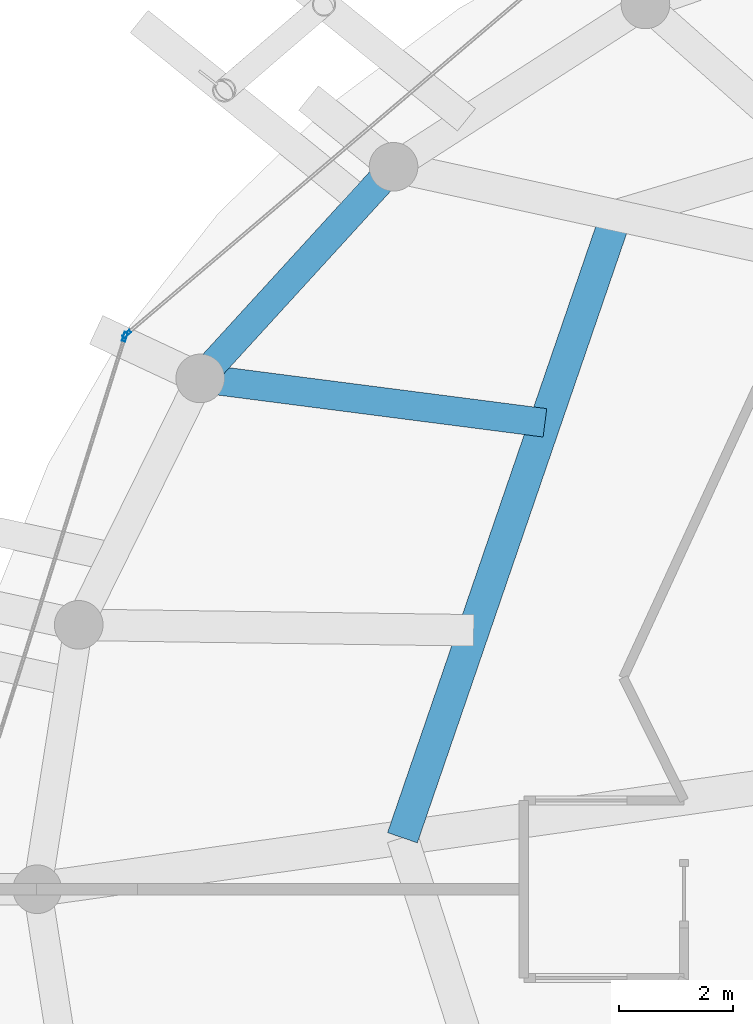
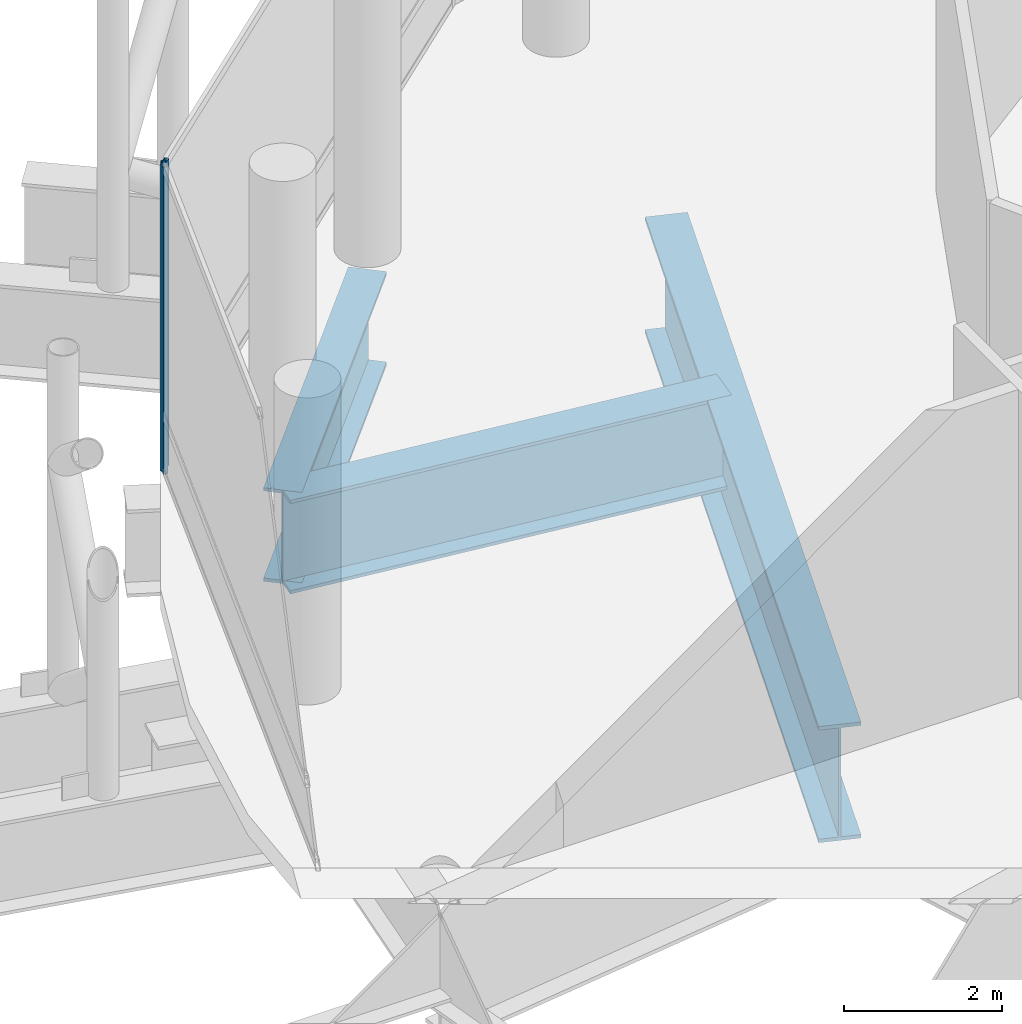
# One storey, part 8 of 31: 3 beams, 2 members, 2 elements without a shape of their own.
"""IFC4 building model written with IfcOpenShell, lengths in metres."""

from ifc_helpers import new_model, si_unit, direction, frame, origin, origin_2d, place, context, subcontext, project, spatial, hollow_rectangle, i_section, extrude, material, layer, layer_set, material_profile, profile_set, type_object, element, aggregate, save


model = new_model("IFC4")

# Units and contexts
model_context = context("Model", 3, precision=1e-05, world=origin(), true_north=direction((0.0, 1.0)))
body_context = subcontext(model_context, "Body", "Model", "MODEL_VIEW")
ifc_project = project(units=[si_unit("LENGTHUNIT", "METRE"), si_unit("AREAUNIT", "SQUARE_METRE"), si_unit("VOLUMEUNIT", "CUBIC_METRE"), si_unit("PLANEANGLEUNIT", "RADIAN"), si_unit("MASSUNIT", "GRAM", prefix="KILO")], contexts=[model_context])

# Site, building, storey
site_placement = place(None, origin())
site = spatial("IfcSite", under=ifc_project, at=site_placement, CompositionType="ELEMENT")
building_placement = place(site_placement, origin())
building = spatial("IfcBuilding", under=site, at=building_placement, Name="Nuhasar Tower", CompositionType="ELEMENT")
storey_placement = place(building_placement, frame((0.0, 0.0, 203.14990234375)))
storey = spatial("IfcBuildingStorey", under=building, at=storey_placement, Name="L49", CompositionType="ELEMENT", Elevation=203.14990234375)

# Beams
ifc_material_1 = material(Name="Steel S460", Category="steel")
ifc_material_profile_1 = material_profile(ifc_material_1, i_section(OverallWidth=0.5, OverallDepth=1.449951171875, WebThickness=0.028076171875, FlangeThickness=0.050048828125, at=origin_2d()), Name="PG1450X500")
ifc_profile_set_1 = profile_set([ifc_material_profile_1], Name="Steel S460")
beam_type_1 = type_object("IfcBeamType", Name="BM-XFER-PG1450", PredefinedType="USERDEFINED", material=ifc_profile_set_1)
beam_1_placement = place(storey_placement, frame((23.97412109375, 39.422119140625, -1.044921875), z_axis=(-0.674449692975, -0.738320805373, 0.0), x_axis=(0.738320805373, -0.674449692975, 0.0)))
element("IfcBeam", 1, at=beam_1_placement, inside=storey, type_object=beam_type_1, Name="L49 Perimeter Ring Spandrel 10", ObjectType="GIRDER", PredefinedType="USERDEFINED", context=body_context, shape_type="SweptSolid", body=[
    extrude(i_section(OverallWidth=0.5, OverallDepth=1.449951171875, WebThickness=0.028076171875, FlangeThickness=0.050048828125, at=origin_2d()), origin(), (0.0, 0.0, 1.0), 5.00732421875),
])
beam_2_placement = place(storey_placement, frame((26.618896484375, 34.948974609375, -1.044921875), z_axis=(-0.991796787378, 0.127824616358, 0.0), x_axis=(-0.127824616358, -0.991796787378, 0.0)))
element("IfcBeam", 2, at=beam_2_placement, inside=storey, type_object=beam_type_1, Name="L49 Inner Column Transfer Girder 11", ObjectType="GIRDER", PredefinedType="USERDEFINED", context=body_context, shape_type="SweptSolid", body=[
    extrude(i_section(OverallWidth=0.5, OverallDepth=1.449951171875, WebThickness=0.028076171875, FlangeThickness=0.050048828125, at=origin_2d()), origin(), (0.0, 0.0, 1.0), 6.07177734375),
])
ifc_material_profile_2 = material_profile(ifc_material_1, i_section(OverallWidth=0.550048828125, OverallDepth=1.800048828125, WebThickness=0.031982421875, FlangeThickness=0.054931640625, at=origin_2d()), Name="PG1800X550")
ifc_profile_set_2 = profile_set([ifc_material_profile_2], Name="Steel S460")
beam_type_2 = type_object("IfcBeamType", Name="BM-XFER-PG1800", PredefinedType="USERDEFINED", material=ifc_profile_set_2)
beam_3_placement = place(storey_placement, frame((27.864013671875, 38.572998046875, -1.219970703125), z_axis=(-0.324809117642, -0.945779592239, 0.0), x_axis=(0.945779592239, -0.324809117642, 0.0)))
element("IfcBeam", 3, at=beam_3_placement, inside=storey, type_object=beam_type_2, Name="L49 Inner Header Beam 07", ObjectType="GIRDER", PredefinedType="USERDEFINED", context=body_context, shape_type="SweptSolid", body=[
    extrude(i_section(OverallWidth=0.550048828125, OverallDepth=1.800048828125, WebThickness=0.031982421875, FlangeThickness=0.054931640625, at=origin_2d()), origin(), (0.0, 0.0, 1.0), 11.496337890625),
])

# Curtain wall, member
ifc_material_2 = material(Name="Aluminium 6063-T6", Category="aluminium")
ifc_layer = layer(ifc_material_2, 0.239990234375)
ifc_layer_set = layer_set([ifc_layer], Name="Aluminium 6063-T6")
curtain_wall_type = type_object("IfcCurtainWallType", Name="CW-SKY-LBY", PredefinedType="NOTDEFINED", material=ifc_layer_set)
curtain_wall_1_placement = place(storey_placement, origin())
curtain_wall_1 = element("IfcCurtainWall", 4, at=curtain_wall_1_placement, inside=storey, type_object=curtain_wall_type, Name="L49 Unitised Curtain Wall 05", PredefinedType="NOTDEFINED")
ifc_material_profile_3 = material_profile(ifc_material_2, hollow_rectangle(XDim=0.06005859375, YDim=0.159912109375, WallThickness=0.0048828125, at=origin_2d()), Name="CWM-6")
ifc_profile_set_3 = profile_set([ifc_material_profile_3], Name="Aluminium 6063-T6")
member_type = type_object("IfcMemberType", Name="CW-MUL-S6", PredefinedType="MULLION", material=ifc_profile_set_3)
member_1_placement = place(storey_placement, frame((19.311767578125, 36.49951171875, 0.0), z_axis=(0.0, 0.0, 1.0), x_axis=(0.64789521578, -0.761729472562, 0.0)))
member_1 = element("IfcMember", 5, at=member_1_placement, type_object=member_type, Name="CW-SL mullion 2", PredefinedType="MULLION", context=body_context, shape_type="SweptSolid", body=[
    extrude(hollow_rectangle(XDim=0.06005859375, YDim=0.159912109375, WallThickness=0.0048828125, at=origin_2d()), origin(), (0.0, 0.0, 1.0), 4.760009765625),
])
aggregate(curtain_wall_1, [member_1])

curtain_wall_2_placement = place(storey_placement, origin())
curtain_wall_2 = element("IfcCurtainWall", 6, at=curtain_wall_2_placement, inside=storey, type_object=curtain_wall_type, Name="L49 Unitised Curtain Wall 06", PredefinedType="NOTDEFINED")
member_2_placement = place(storey_placement, frame((19.280029296875, 36.451416015625, 0.0), z_axis=(0.0, 0.0, 1.0), x_axis=(0.95380429279, -0.30042864553, 0.0)))
member_2 = element("IfcMember", 7, at=member_2_placement, type_object=member_type, Name="CW-SL mullion 1", PredefinedType="MULLION", context=body_context, shape_type="SweptSolid", body=[
    extrude(hollow_rectangle(XDim=0.06005859375, YDim=0.159912109375, WallThickness=0.0048828125, at=origin_2d()), origin(), (0.0, 0.0, 1.0), 4.760009765625),
])
aggregate(curtain_wall_2, [member_2])

save(model, "model.ifc")
